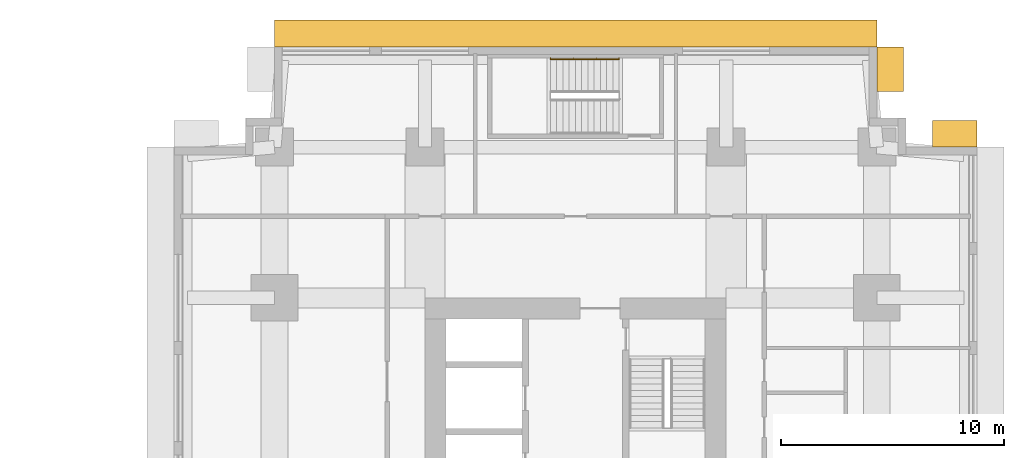
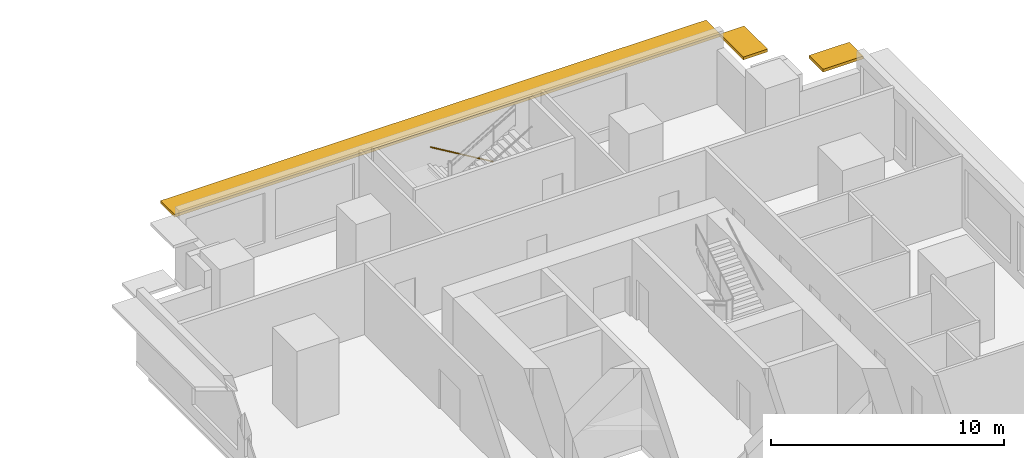
# One storey, part 11 of 11: 3 shading devices, 1 railing.
"""IFC4 building model written with IfcOpenShell, lengths in metres."""

from ifc_helpers import new_model, si_unit, direction, frame, origin, origin_2d, place, context, subcontext, project, spatial, rectangle, circle, extrude, material, layer, layer_set, type_object, element, save


model = new_model("IFC4")

# Units and contexts
model_context = context("Model", 3, precision=1e-05, world=origin(), true_north=direction((0.0, 1.0)))
body_context = subcontext(model_context, "Body", "Model", "MODEL_VIEW")
ifc_project = project(units=[si_unit("LENGTHUNIT", "METRE"), si_unit("AREAUNIT", "SQUARE_METRE"), si_unit("VOLUMEUNIT", "CUBIC_METRE"), si_unit("PLANEANGLEUNIT", "RADIAN"), si_unit("MASSUNIT", "GRAM", prefix="KILO")], contexts=[model_context])

# Site, building, storey
site_placement = place(None, origin())
site = spatial("IfcSite", under=ifc_project, at=site_placement, CompositionType="ELEMENT")
building_placement = place(site_placement, origin())
building = spatial("IfcBuilding", under=site, at=building_placement, Name="Namib Vertical Campus", CompositionType="ELEMENT")
storey_placement = place(building_placement, frame((0.0, 0.0, 65.0)))
storey = spatial("IfcBuildingStorey", under=building, at=storey_placement, Name="L15", CompositionType="ELEMENT", Elevation=65.0)

# Railing
ifc_material_1 = material(Name="Steel handrail", Category="steel")
railing_type = type_object("IfcRailingType", Name="Handrail 900", PredefinedType="HANDRAIL", material=ifc_material_1)
railing_placement = place(storey_placement, frame((82.949951171875, 39.949951171875, 0.166748046875)))
element("IfcRailing", 1, at=railing_placement, inside=storey, type_object=railing_type, Name="Handrail HR1 B-S3 L15 1", PredefinedType="HANDRAIL", context=body_context, shape_type="SweptSolid", body=[
    extrude(circle(Radius=0.02392578125, at=origin_2d()), frame((0.0, 0.0, 0.8759765625), z_axis=(-0.859290745958, 0.0, 0.51148745235), x_axis=(0.0, -1.0, 0.0)), (0.0, 0.0, 1.0), 3.584228515625),
    extrude(circle(Radius=0.008056640625, at=origin_2d()), frame((0.0, 0.0, 0.8759765625), z_axis=(0.0, 1.0, 0.0), x_axis=(0.0, 0.0, 1.0)), (0.0, 0.0, 1.0), 0.050048828125),
    extrude(circle(Radius=0.008056640625, at=origin_2d()), frame((-1.026611328125, 0.0, 1.48681640625), z_axis=(0.0, 1.0, 0.0), x_axis=(0.0, 0.0, 1.0)), (0.0, 0.0, 1.0), 0.050048828125),
    extrude(circle(Radius=0.008056640625, at=origin_2d()), frame((-2.05322265625, 0.0, 2.09814453125), z_axis=(0.0, 1.0, 0.0), x_axis=(0.0, 0.0, 1.0)), (0.0, 0.0, 1.0), 0.050048828125),
    extrude(circle(Radius=0.008056640625, at=origin_2d()), frame((-3.079833984375, 0.0, 2.708984375), z_axis=(0.0, 1.0, 0.0), x_axis=(0.0, 0.0, 1.0)), (0.0, 0.0, 1.0), 0.050048828125),
])

# Shading devices
ifc_material_2 = material(Name="Concrete C40/50 precast", Category="concrete")
ifc_layer = layer(ifc_material_2, 0.14990234375)
ifc_layer_set = layer_set([ifc_layer], Name="Concrete C40/50 precast")
shading_device_type = type_object("IfcShadingDeviceType", Name="Sunshade hood 1200", PredefinedType="SHUTTER", material=ifc_layer_set)
for number, where, z_axis, x_axis, name in (
    (2, (98.0, 36.60009765625, 3.199951171875), (0.0, 0.0, 1.0), (-1.0, 0.0, 0.0), "Sunshade SH2 L15 7"),
    (3, (95.10009765625, 39.5, 3.199951171875), (0.0, 0.0, 1.0), (0.0, 1.0, 0.0), "Sunshade SH2 L15 10"),
):
    element("IfcShadingDevice", number, at=place(storey_placement, frame(where, z_axis=z_axis, x_axis=x_axis)), inside=storey, type_object=shading_device_type, Name=name, PredefinedType="SHUTTER", context=body_context, shape_type="SweptSolid", body=[
        extrude(rectangle(XDim=2.0, YDim=1.199951171875, at=origin_2d()), origin(), (0.0, 0.0, 1.0), 0.14990234375),
    ])
shading_device_placement = place(storey_placement, frame((81.0, 41.10009765625, 3.199951171875), z_axis=(0.0, 0.0, 1.0), x_axis=(-1.0, 0.0, 0.0)))
element("IfcShadingDevice", 4, at=shading_device_placement, inside=storey, type_object=shading_device_type, Name="Sunshade SH2 L15 11", PredefinedType="SHUTTER", context=body_context, shape_type="SweptSolid", body=[
    extrude(rectangle(XDim=27.0, YDim=1.199951171875, at=origin_2d()), origin(), (0.0, 0.0, 1.0), 0.14990234375),
])

save(model, "model.ifc")
